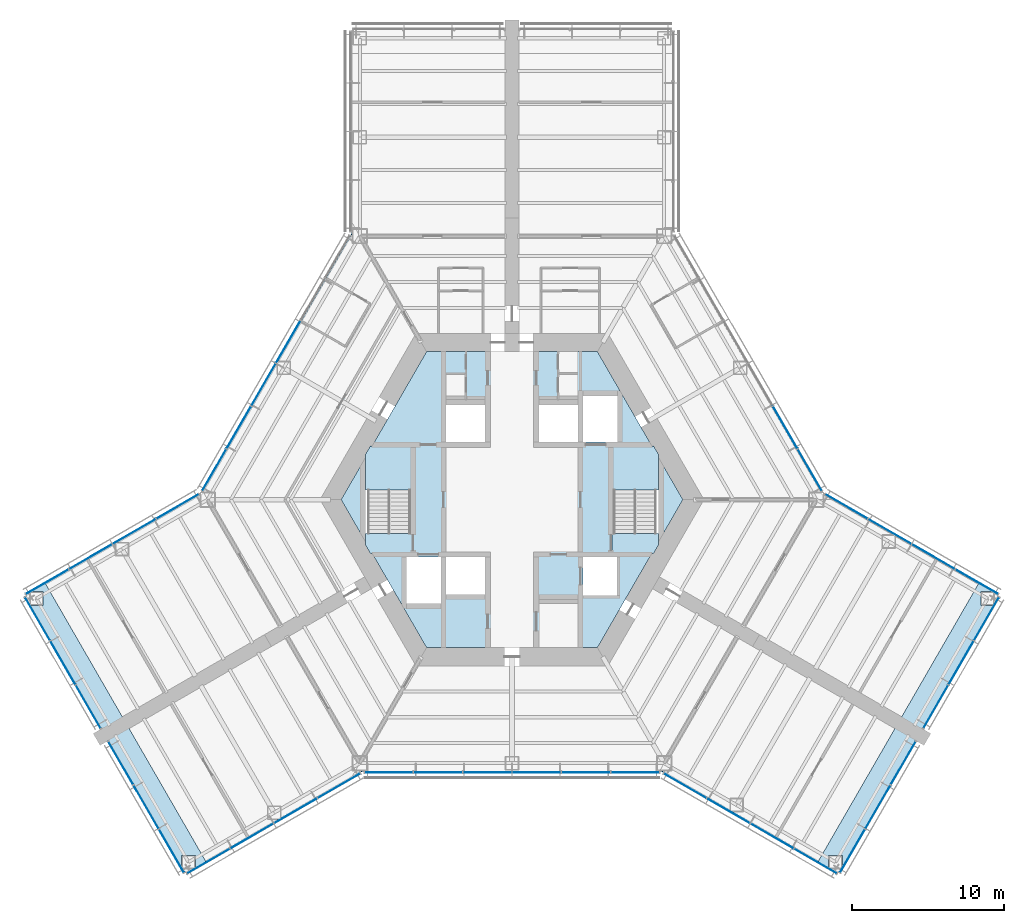
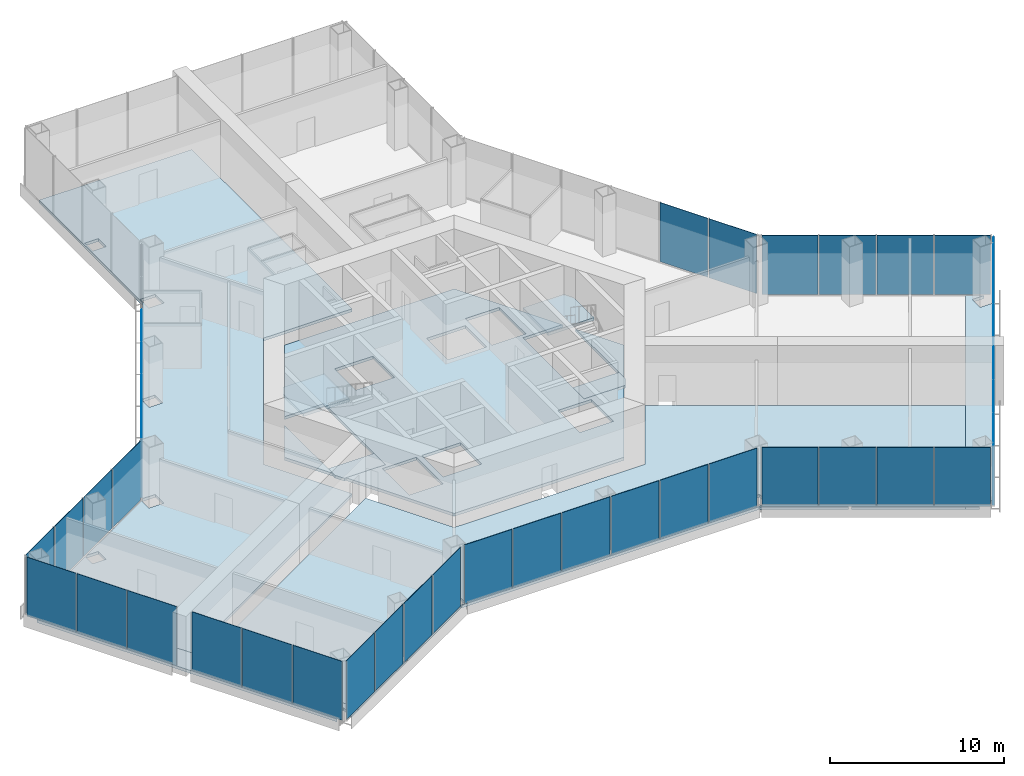
# One storey, part 9 of 16: 40 plates, 11 slabs, 13 elements without a shape of their own.
"""IFC4 building model written with IfcOpenShell, lengths in metres."""

from ifc_helpers import new_model, si_unit, direction, frame, origin, origin_2d, place, context, subcontext, project, spatial, polyline, rectangle, outline, extrude, material, layer, layer_set, type_object, element, aggregate, save


model = new_model("IFC4")

# Units and contexts
model_context = context("Model", 3, precision=1e-05, world=origin(), true_north=direction((0.0, 1.0)))
body_context = subcontext(model_context, "Body", "Model", "MODEL_VIEW")
ifc_project = project(units=[si_unit("LENGTHUNIT", "METRE"), si_unit("AREAUNIT", "SQUARE_METRE"), si_unit("VOLUMEUNIT", "CUBIC_METRE"), si_unit("PLANEANGLEUNIT", "RADIAN"), si_unit("MASSUNIT", "GRAM", prefix="KILO")], contexts=[model_context])

# Site, building, storey
site_placement = place(None, origin())
site = spatial("IfcSite", under=ifc_project, at=site_placement, CompositionType="ELEMENT")
building_placement = place(site_placement, origin())
building = spatial("IfcBuilding", under=site, at=building_placement, Name="Kasaneha Research Tower", CompositionType="ELEMENT")
storey_placement = place(building_placement, frame((0.0, 0.0, 10.0)))
storey = spatial("IfcBuildingStorey", under=building, at=storey_placement, Name="L03", CompositionType="ELEMENT", Elevation=10.0)

# Curtain wall, plates
ifc_material_1 = material(Name="Glass and aluminium", Category="aluminium")
curtain_wall_type = type_object("IfcCurtainWallType", Name="Wet laboratory curtain wall", PredefinedType="USERDEFINED", material=ifc_material_1)
curtain_wall_1_placement = place(storey_placement, origin())
curtain_wall_1 = element("IfcCurtainWall", 1, at=curtain_wall_1_placement, inside=storey, type_object=curtain_wall_type, Name="CW-L1 L03 run 01a", ObjectType="UNITISED CURTAIN WALL", PredefinedType="USERDEFINED")
ifc_material_2 = material(Name="Laminated double glazing", Category="glass")
ifc_layer_1 = layer(ifc_material_2, 0.030029296875)
ifc_layer_set_1 = layer_set([ifc_layer_1], Name="CW-L1 glazed panel")
plate_type = type_object("IfcPlateType", Name="CW-L1 glazed panel", PredefinedType="CURTAIN_PANEL", material=ifc_layer_set_1)
plate_1_placement = place(storey_placement, frame((-19.944091796875, -23.754638671875, 0.06494140625), z_axis=(0.0, 0.0, 1.0), x_axis=(0.866025411464, 0.499999986699, 0.0)))
plate_1 = element("IfcPlate", 2, at=plate_1_placement, type_object=plate_type, Name="CW-L1 panel 1", PredefinedType="CURTAIN_PANEL", context=body_context, shape_type="SweptSolid", body=[
    extrude(rectangle(XDim=3.21240234375, YDim=0.030029296875, at=origin_2d()), origin(), (0.0, 0.0, 1.0), 4.135009765625),
])
plate_2_placement = place(storey_placement, frame((-17.091796875, -22.107666015625, 0.06494140625), z_axis=(0.0, 0.0, 1.0), x_axis=(0.866025411464, 0.499999986699, 0.0)))
plate_2 = element("IfcPlate", 3, at=plate_2_placement, type_object=plate_type, Name="CW-L1 panel 2", PredefinedType="CURTAIN_PANEL", context=body_context, shape_type="SweptSolid", body=[
    extrude(rectangle(XDim=3.244873046875, YDim=0.030029296875, at=origin_2d()), origin(), (0.0, 0.0, 1.0), 4.135009765625),
])
plate_3_placement = place(storey_placement, frame((-14.225341796875, -20.452880859375, 0.06494140625), z_axis=(0.0, 0.0, 1.0), x_axis=(0.866025411464, 0.499999986699, 0.0)))
plate_3 = element("IfcPlate", 4, at=plate_3_placement, type_object=plate_type, Name="CW-L1 panel 3", PredefinedType="CURTAIN_PANEL", context=body_context, shape_type="SweptSolid", body=[
    extrude(rectangle(XDim=3.244873046875, YDim=0.030029296875, at=origin_2d()), origin(), (0.0, 0.0, 1.0), 4.135009765625),
])
plate_4_placement = place(storey_placement, frame((-11.373046875, -18.80615234375, 0.06494140625), z_axis=(0.0, 0.0, 1.0), x_axis=(0.866025411464, 0.499999986699, 0.0)))
plate_4 = element("IfcPlate", 5, at=plate_4_placement, type_object=plate_type, Name="CW-L1 panel 4", PredefinedType="CURTAIN_PANEL", context=body_context, shape_type="SweptSolid", body=[
    extrude(rectangle(XDim=3.21240234375, YDim=0.030029296875, at=origin_2d()), origin(), (0.0, 0.0, 1.0), 4.135009765625),
])
aggregate(curtain_wall_1, [plate_1, plate_2, plate_3, plate_4])

curtain_wall_2_placement = place(storey_placement, origin())
curtain_wall_2 = element("IfcCurtainWall", 6, at=curtain_wall_2_placement, inside=storey, type_object=curtain_wall_type, Name="CW-L1 L03 run 02a", ObjectType="UNITISED CURTAIN WALL", PredefinedType="USERDEFINED")
plate_5_placement = place(storey_placement, frame((-8.099853515625, -17.92041015625, 0.06494140625), z_axis=(0.0, 0.0, 1.0), x_axis=(1.0, 0.0, 0.0)))
plate_5 = element("IfcPlate", 7, at=plate_5_placement, type_object=plate_type, Name="CW-L1 panel 1", PredefinedType="CURTAIN_PANEL", context=body_context, shape_type="SweptSolid", body=[
    extrude(rectangle(XDim=3.14892578125, YDim=0.030029296875, at=origin_2d()), origin(), (0.0, 0.0, 1.0), 4.135009765625),
])
plate_6_placement = place(storey_placement, frame((-4.86962890625, -17.92041015625, 0.06494140625), z_axis=(0.0, 0.0, 1.0), x_axis=(1.0, 0.0, 0.0)))
plate_6 = element("IfcPlate", 8, at=plate_6_placement, type_object=plate_type, Name="CW-L1 panel 2", PredefinedType="CURTAIN_PANEL", context=body_context, shape_type="SweptSolid", body=[
    extrude(rectangle(XDim=3.181396484375, YDim=0.030029296875, at=origin_2d()), origin(), (0.0, 0.0, 1.0), 4.135009765625),
])
plate_7_placement = place(storey_placement, frame((-1.623291015625, -17.92041015625, 0.06494140625), z_axis=(0.0, 0.0, 1.0), x_axis=(1.0, 0.0, 0.0)))
plate_7 = element("IfcPlate", 9, at=plate_7_placement, type_object=plate_type, Name="CW-L1 panel 3", PredefinedType="CURTAIN_PANEL", context=body_context, shape_type="SweptSolid", body=[
    extrude(rectangle(XDim=3.181396484375, YDim=0.030029296875, at=origin_2d()), origin(), (0.0, 0.0, 1.0), 4.135009765625),
])
plate_8_placement = place(storey_placement, frame((1.623291015625, -17.92041015625, 0.06494140625), z_axis=(0.0, 0.0, 1.0), x_axis=(1.0, 0.0, 0.0)))
plate_8 = element("IfcPlate", 10, at=plate_8_placement, type_object=plate_type, Name="CW-L1 panel 4", PredefinedType="CURTAIN_PANEL", context=body_context, shape_type="SweptSolid", body=[
    extrude(rectangle(XDim=3.181396484375, YDim=0.030029296875, at=origin_2d()), origin(), (0.0, 0.0, 1.0), 4.135009765625),
])
plate_9_placement = place(storey_placement, frame((4.86962890625, -17.92041015625, 0.06494140625), z_axis=(0.0, 0.0, 1.0), x_axis=(1.0, 0.0, 0.0)))
plate_9 = element("IfcPlate", 11, at=plate_9_placement, type_object=plate_type, Name="CW-L1 panel 5", PredefinedType="CURTAIN_PANEL", context=body_context, shape_type="SweptSolid", body=[
    extrude(rectangle(XDim=3.181396484375, YDim=0.030029296875, at=origin_2d()), origin(), (0.0, 0.0, 1.0), 4.135009765625),
])
plate_10_placement = place(storey_placement, frame((8.099853515625, -17.92041015625, 0.06494140625), z_axis=(0.0, 0.0, 1.0), x_axis=(1.0, 0.0, 0.0)))
plate_10 = element("IfcPlate", 12, at=plate_10_placement, type_object=plate_type, Name="CW-L1 panel 6", PredefinedType="CURTAIN_PANEL", context=body_context, shape_type="SweptSolid", body=[
    extrude(rectangle(XDim=3.14892578125, YDim=0.030029296875, at=origin_2d()), origin(), (0.0, 0.0, 1.0), 4.135009765625),
])
aggregate(curtain_wall_2, [plate_5, plate_6, plate_7, plate_8, plate_9, plate_10])

curtain_wall_3_placement = place(storey_placement, origin())
curtain_wall_3 = element("IfcCurtainWall", 13, at=curtain_wall_3_placement, inside=storey, type_object=curtain_wall_type, Name="CW-L1 L03 run 03a", ObjectType="UNITISED CURTAIN WALL", PredefinedType="USERDEFINED")
plate_11_placement = place(storey_placement, frame((11.373046875, -18.80615234375, 0.06494140625), z_axis=(0.0, 0.0, 1.0), x_axis=(0.866025411464, -0.499999986699, 0.0)))
plate_11 = element("IfcPlate", 14, at=plate_11_placement, type_object=plate_type, Name="CW-L1 panel 1", PredefinedType="CURTAIN_PANEL", context=body_context, shape_type="SweptSolid", body=[
    extrude(rectangle(XDim=3.21240234375, YDim=0.030029296875, at=origin_2d()), origin(), (0.0, 0.0, 1.0), 4.135009765625),
])
plate_12_placement = place(storey_placement, frame((14.225341796875, -20.452880859375, 0.06494140625), z_axis=(0.0, 0.0, 1.0), x_axis=(0.866025411464, -0.499999986699, 0.0)))
plate_12 = element("IfcPlate", 15, at=plate_12_placement, type_object=plate_type, Name="CW-L1 panel 2", PredefinedType="CURTAIN_PANEL", context=body_context, shape_type="SweptSolid", body=[
    extrude(rectangle(XDim=3.244873046875, YDim=0.030029296875, at=origin_2d()), origin(), (0.0, 0.0, 1.0), 4.135009765625),
])
plate_13_placement = place(storey_placement, frame((17.091796875, -22.107666015625, 0.06494140625), z_axis=(0.0, 0.0, 1.0), x_axis=(0.866025411464, -0.499999986699, 0.0)))
plate_13 = element("IfcPlate", 16, at=plate_13_placement, type_object=plate_type, Name="CW-L1 panel 3", PredefinedType="CURTAIN_PANEL", context=body_context, shape_type="SweptSolid", body=[
    extrude(rectangle(XDim=3.244873046875, YDim=0.030029296875, at=origin_2d()), origin(), (0.0, 0.0, 1.0), 4.135009765625),
])
plate_14_placement = place(storey_placement, frame((19.944091796875, -23.754638671875, 0.06494140625), z_axis=(0.0, 0.0, 1.0), x_axis=(0.866025411464, -0.499999986699, 0.0)))
plate_14 = element("IfcPlate", 17, at=plate_14_placement, type_object=plate_type, Name="CW-L1 panel 4", PredefinedType="CURTAIN_PANEL", context=body_context, shape_type="SweptSolid", body=[
    extrude(rectangle(XDim=3.21240234375, YDim=0.030029296875, at=origin_2d()), origin(), (0.0, 0.0, 1.0), 4.135009765625),
])
aggregate(curtain_wall_3, [plate_11, plate_12, plate_13, plate_14])

curtain_wall_4_placement = place(storey_placement, origin())
curtain_wall_4 = element("IfcCurtainWall", 18, at=curtain_wall_4_placement, inside=storey, type_object=curtain_wall_type, Name="CW-L1 L03 run 04a", ObjectType="UNITISED CURTAIN WALL", PredefinedType="USERDEFINED")
plate_15_placement = place(storey_placement, frame((22.37353515625, -23.0888671875, 0.06494140625), z_axis=(0.0, 0.0, 1.0), x_axis=(0.500000011442, 0.866025397178, 0.0)))
plate_15 = element("IfcPlate", 19, at=plate_15_placement, type_object=plate_type, Name="CW-L1 panel 1", PredefinedType="CURTAIN_PANEL", context=body_context, shape_type="SweptSolid", body=[
    extrude(rectangle(XDim=3.25244140625, YDim=0.030029296875, at=origin_2d()), origin(), (0.0, 0.0, 1.0), 4.135009765625),
])
plate_16_placement = place(storey_placement, frame((24.04052734375, -20.20166015625, 0.06494140625), z_axis=(0.0, 0.0, 1.0), x_axis=(0.500000011442, 0.866025397178, 0.0)))
plate_16 = element("IfcPlate", 20, at=plate_16_placement, type_object=plate_type, Name="CW-L1 panel 2", PredefinedType="CURTAIN_PANEL", context=body_context, shape_type="SweptSolid", body=[
    extrude(rectangle(XDim=3.284912109375, YDim=0.030029296875, at=origin_2d()), origin(), (0.0, 0.0, 1.0), 4.135009765625),
])
plate_17_placement = place(storey_placement, frame((25.707275390625, -17.314697265625, 0.06494140625), z_axis=(0.0, 0.0, 1.0), x_axis=(0.500000011442, 0.866025397178, 0.0)))
plate_17 = element("IfcPlate", 21, at=plate_17_placement, type_object=plate_type, Name="CW-L1 panel 3", PredefinedType="CURTAIN_PANEL", context=body_context, shape_type="SweptSolid", body=[
    extrude(rectangle(XDim=3.25244140625, YDim=0.030029296875, at=origin_2d()), origin(), (0.0, 0.0, 1.0), 4.135009765625),
])
aggregate(curtain_wall_4, [plate_15, plate_16, plate_17])

curtain_wall_5_placement = place(storey_placement, origin())
curtain_wall_5 = element("IfcCurtainWall", 22, at=curtain_wall_5_placement, inside=storey, type_object=curtain_wall_type, Name="CW-L1 L03 run 05a", ObjectType="UNITISED CURTAIN WALL", PredefinedType="USERDEFINED")
plate_18_placement = place(storey_placement, frame((27.8486328125, -13.60595703125, 0.06494140625), z_axis=(0.0, 0.0, 1.0), x_axis=(0.500000011442, 0.866025397178, 0.0)))
plate_18 = element("IfcPlate", 23, at=plate_18_placement, type_object=plate_type, Name="CW-L1 panel 1", PredefinedType="CURTAIN_PANEL", context=body_context, shape_type="SweptSolid", body=[
    extrude(rectangle(XDim=3.25244140625, YDim=0.030029296875, at=origin_2d()), origin(), (0.0, 0.0, 1.0), 4.135009765625),
])
plate_19_placement = place(storey_placement, frame((29.515380859375, -10.71875, 0.06494140625), z_axis=(0.0, 0.0, 1.0), x_axis=(0.500000011442, 0.866025397178, 0.0)))
plate_19 = element("IfcPlate", 24, at=plate_19_placement, type_object=plate_type, Name="CW-L1 panel 2", PredefinedType="CURTAIN_PANEL", context=body_context, shape_type="SweptSolid", body=[
    extrude(rectangle(XDim=3.284912109375, YDim=0.030029296875, at=origin_2d()), origin(), (0.0, 0.0, 1.0), 4.135009765625),
])
plate_20_placement = place(storey_placement, frame((31.182373046875, -7.83154296875, 0.06494140625), z_axis=(0.0, 0.0, 1.0), x_axis=(0.500000011442, 0.866025397178, 0.0)))
plate_20 = element("IfcPlate", 25, at=plate_20_placement, type_object=plate_type, Name="CW-L1 panel 3", PredefinedType="CURTAIN_PANEL", context=body_context, shape_type="SweptSolid", body=[
    extrude(rectangle(XDim=3.25244140625, YDim=0.030029296875, at=origin_2d()), origin(), (0.0, 0.0, 1.0), 4.135009765625),
])
aggregate(curtain_wall_5, [plate_18, plate_19, plate_20])

curtain_wall_6_placement = place(storey_placement, origin())
curtain_wall_6 = element("IfcCurtainWall", 26, at=curtain_wall_6_placement, inside=storey, type_object=curtain_wall_type, Name="CW-L1 L03 run 06a", ObjectType="UNITISED CURTAIN WALL", PredefinedType="USERDEFINED")
plate_21_placement = place(storey_placement, frame((30.544189453125, -5.394775390625, 0.06494140625), z_axis=(0.0, 0.0, 1.0), x_axis=(-0.866025411464, 0.499999986699, 0.0)))
plate_21 = element("IfcPlate", 27, at=plate_21_placement, type_object=plate_type, Name="CW-L1 panel 1", PredefinedType="CURTAIN_PANEL", context=body_context, shape_type="SweptSolid", body=[
    extrude(rectangle(XDim=3.21240234375, YDim=0.030029296875, at=origin_2d()), origin(), (0.0, 0.0, 1.0), 4.135009765625),
])
plate_22_placement = place(storey_placement, frame((27.69189453125, -3.748046875, 0.06494140625), z_axis=(0.0, 0.0, 1.0), x_axis=(-0.866025411464, 0.499999986699, 0.0)))
plate_22 = element("IfcPlate", 28, at=plate_22_placement, type_object=plate_type, Name="CW-L1 panel 2", PredefinedType="CURTAIN_PANEL", context=body_context, shape_type="SweptSolid", body=[
    extrude(rectangle(XDim=3.244873046875, YDim=0.030029296875, at=origin_2d()), origin(), (0.0, 0.0, 1.0), 4.135009765625),
])
plate_23_placement = place(storey_placement, frame((24.825439453125, -2.093017578125, 0.06494140625), z_axis=(0.0, 0.0, 1.0), x_axis=(-0.866025411464, 0.499999986699, 0.0)))
plate_23 = element("IfcPlate", 29, at=plate_23_placement, type_object=plate_type, Name="CW-L1 panel 3", PredefinedType="CURTAIN_PANEL", context=body_context, shape_type="SweptSolid", body=[
    extrude(rectangle(XDim=3.244873046875, YDim=0.030029296875, at=origin_2d()), origin(), (0.0, 0.0, 1.0), 4.135009765625),
])
plate_24_placement = place(storey_placement, frame((21.97314453125, -0.4462890625, 0.06494140625), z_axis=(0.0, 0.0, 1.0), x_axis=(-0.866025411464, 0.499999986699, 0.0)))
plate_24 = element("IfcPlate", 30, at=plate_24_placement, type_object=plate_type, Name="CW-L1 panel 4", PredefinedType="CURTAIN_PANEL", context=body_context, shape_type="SweptSolid", body=[
    extrude(rectangle(XDim=3.21240234375, YDim=0.030029296875, at=origin_2d()), origin(), (0.0, 0.0, 1.0), 4.135009765625),
])
aggregate(curtain_wall_6, [plate_21, plate_22, plate_23, plate_24])

curtain_wall_7_placement = place(storey_placement, origin())
curtain_wall_7 = element("IfcCurtainWall", 31, at=curtain_wall_7_placement, inside=storey, type_object=curtain_wall_type, Name="CW-L1 L03 run 07a", ObjectType="UNITISED CURTAIN WALL", PredefinedType="USERDEFINED")
plate_25_placement = place(storey_placement, frame((19.569580078125, 1.945556640625, 0.06494140625), z_axis=(0.0, 0.0, 1.0), x_axis=(-0.49999996188, 0.866025425793, 0.0)))
plate_25 = element("IfcPlate", 32, at=plate_25_placement, type_object=plate_type, Name="CW-L1 panel 1", PredefinedType="CURTAIN_PANEL", context=body_context, shape_type="SweptSolid", body=[
    extrude(rectangle(XDim=3.14892578125, YDim=0.030029296875, at=origin_2d()), origin(), (0.0, 0.0, 1.0), 4.135009765625),
])
plate_26_placement = place(storey_placement, frame((17.954345703125, 4.7431640625, 0.06494140625), z_axis=(0.0, 0.0, 1.0), x_axis=(-0.49999996188, 0.866025425793, 0.0)))
plate_26 = element("IfcPlate", 33, at=plate_26_placement, type_object=plate_type, Name="CW-L1 panel 2", PredefinedType="CURTAIN_PANEL", context=body_context, shape_type="SweptSolid", body=[
    extrude(rectangle(XDim=3.181396484375, YDim=0.030029296875, at=origin_2d()), origin(), (0.0, 0.0, 1.0), 4.135009765625),
])
aggregate(curtain_wall_7, [plate_25, plate_26])

curtain_wall_8_placement = place(storey_placement, origin())
curtain_wall_8 = element("IfcCurtainWall", 34, at=curtain_wall_8_placement, inside=storey, type_object=curtain_wall_type, Name="CW-L1 L03 run 12a", ObjectType="UNITISED CURTAIN WALL", PredefinedType="USERDEFINED")
plate_27_placement = place(storey_placement, frame((-14.7080078125, 10.365966796875, 0.06494140625), z_axis=(0.0, 0.0, 1.0), x_axis=(-0.49999996188, -0.866025425793, 0.0)))
plate_27 = element("IfcPlate", 35, at=plate_27_placement, type_object=plate_type, Name="CW-L1 panel 3", PredefinedType="CURTAIN_PANEL", context=body_context, shape_type="SweptSolid", body=[
    extrude(rectangle(XDim=3.181396484375, YDim=0.030029296875, at=origin_2d()), origin(), (0.0, 0.0, 1.0), 4.135009765625),
])
plate_28_placement = place(storey_placement, frame((-16.331298828125, 7.554443359375, 0.06494140625), z_axis=(0.0, 0.0, 1.0), x_axis=(-0.49999996188, -0.866025425793, 0.0)))
plate_28 = element("IfcPlate", 36, at=plate_28_placement, type_object=plate_type, Name="CW-L1 panel 4", PredefinedType="CURTAIN_PANEL", context=body_context, shape_type="SweptSolid", body=[
    extrude(rectangle(XDim=3.181396484375, YDim=0.030029296875, at=origin_2d()), origin(), (0.0, 0.0, 1.0), 4.135009765625),
])
plate_29_placement = place(storey_placement, frame((-17.954345703125, 4.7431640625, 0.06494140625), z_axis=(0.0, 0.0, 1.0), x_axis=(-0.49999996188, -0.866025425793, 0.0)))
plate_29 = element("IfcPlate", 37, at=plate_29_placement, type_object=plate_type, Name="CW-L1 panel 5", PredefinedType="CURTAIN_PANEL", context=body_context, shape_type="SweptSolid", body=[
    extrude(rectangle(XDim=3.181396484375, YDim=0.030029296875, at=origin_2d()), origin(), (0.0, 0.0, 1.0), 4.135009765625),
])
plate_30_placement = place(storey_placement, frame((-19.569580078125, 1.945556640625, 0.06494140625), z_axis=(0.0, 0.0, 1.0), x_axis=(-0.49999996188, -0.866025425793, 0.0)))
plate_30 = element("IfcPlate", 38, at=plate_30_placement, type_object=plate_type, Name="CW-L1 panel 6", PredefinedType="CURTAIN_PANEL", context=body_context, shape_type="SweptSolid", body=[
    extrude(rectangle(XDim=3.14892578125, YDim=0.030029296875, at=origin_2d()), origin(), (0.0, 0.0, 1.0), 4.135009765625),
])
aggregate(curtain_wall_8, [plate_27, plate_28, plate_29, plate_30])

curtain_wall_9_placement = place(storey_placement, origin())
curtain_wall_9 = element("IfcCurtainWall", 39, at=curtain_wall_9_placement, inside=storey, type_object=curtain_wall_type, Name="CW-L1 L03 run 13a", ObjectType="UNITISED CURTAIN WALL", PredefinedType="USERDEFINED")
plate_31_placement = place(storey_placement, frame((-21.97314453125, -0.4462890625, 0.06494140625), z_axis=(0.0, 0.0, 1.0), x_axis=(-0.866025411464, -0.499999986699, 0.0)))
plate_31 = element("IfcPlate", 40, at=plate_31_placement, type_object=plate_type, Name="CW-L1 panel 1", PredefinedType="CURTAIN_PANEL", context=body_context, shape_type="SweptSolid", body=[
    extrude(rectangle(XDim=3.21240234375, YDim=0.030029296875, at=origin_2d()), origin(), (0.0, 0.0, 1.0), 4.135009765625),
])
plate_32_placement = place(storey_placement, frame((-24.825439453125, -2.093017578125, 0.06494140625), z_axis=(0.0, 0.0, 1.0), x_axis=(-0.866025411464, -0.499999986699, 0.0)))
plate_32 = element("IfcPlate", 41, at=plate_32_placement, type_object=plate_type, Name="CW-L1 panel 2", PredefinedType="CURTAIN_PANEL", context=body_context, shape_type="SweptSolid", body=[
    extrude(rectangle(XDim=3.244873046875, YDim=0.030029296875, at=origin_2d()), origin(), (0.0, 0.0, 1.0), 4.135009765625),
])
plate_33_placement = place(storey_placement, frame((-27.69189453125, -3.748046875, 0.06494140625), z_axis=(0.0, 0.0, 1.0), x_axis=(-0.866025411464, -0.499999986699, 0.0)))
plate_33 = element("IfcPlate", 42, at=plate_33_placement, type_object=plate_type, Name="CW-L1 panel 3", PredefinedType="CURTAIN_PANEL", context=body_context, shape_type="SweptSolid", body=[
    extrude(rectangle(XDim=3.244873046875, YDim=0.030029296875, at=origin_2d()), origin(), (0.0, 0.0, 1.0), 4.135009765625),
])
plate_34_placement = place(storey_placement, frame((-30.544189453125, -5.394775390625, 0.06494140625), z_axis=(0.0, 0.0, 1.0), x_axis=(-0.866025411464, -0.499999986699, 0.0)))
plate_34 = element("IfcPlate", 43, at=plate_34_placement, type_object=plate_type, Name="CW-L1 panel 4", PredefinedType="CURTAIN_PANEL", context=body_context, shape_type="SweptSolid", body=[
    extrude(rectangle(XDim=3.21240234375, YDim=0.030029296875, at=origin_2d()), origin(), (0.0, 0.0, 1.0), 4.135009765625),
])
aggregate(curtain_wall_9, [plate_31, plate_32, plate_33, plate_34])

curtain_wall_10_placement = place(storey_placement, origin())
curtain_wall_10 = element("IfcCurtainWall", 44, at=curtain_wall_10_placement, inside=storey, type_object=curtain_wall_type, Name="CW-L1 L03 run 14a", ObjectType="UNITISED CURTAIN WALL", PredefinedType="USERDEFINED")
plate_35_placement = place(storey_placement, frame((-31.182373046875, -7.83154296875, 0.06494140625), z_axis=(0.0, 0.0, 1.0), x_axis=(0.500000011442, -0.866025397178, 0.0)))
plate_35 = element("IfcPlate", 45, at=plate_35_placement, type_object=plate_type, Name="CW-L1 panel 1", PredefinedType="CURTAIN_PANEL", context=body_context, shape_type="SweptSolid", body=[
    extrude(rectangle(XDim=3.25244140625, YDim=0.030029296875, at=origin_2d()), origin(), (0.0, 0.0, 1.0), 4.135009765625),
])
plate_36_placement = place(storey_placement, frame((-29.515380859375, -10.71875, 0.06494140625), z_axis=(0.0, 0.0, 1.0), x_axis=(0.500000011442, -0.866025397178, 0.0)))
plate_36 = element("IfcPlate", 46, at=plate_36_placement, type_object=plate_type, Name="CW-L1 panel 2", PredefinedType="CURTAIN_PANEL", context=body_context, shape_type="SweptSolid", body=[
    extrude(rectangle(XDim=3.284912109375, YDim=0.030029296875, at=origin_2d()), origin(), (0.0, 0.0, 1.0), 4.135009765625),
])
plate_37_placement = place(storey_placement, frame((-27.8486328125, -13.60595703125, 0.06494140625), z_axis=(0.0, 0.0, 1.0), x_axis=(0.500000011442, -0.866025397178, 0.0)))
plate_37 = element("IfcPlate", 47, at=plate_37_placement, type_object=plate_type, Name="CW-L1 panel 3", PredefinedType="CURTAIN_PANEL", context=body_context, shape_type="SweptSolid", body=[
    extrude(rectangle(XDim=3.25244140625, YDim=0.030029296875, at=origin_2d()), origin(), (0.0, 0.0, 1.0), 4.135009765625),
])
aggregate(curtain_wall_10, [plate_35, plate_36, plate_37])

curtain_wall_11_placement = place(storey_placement, origin())
curtain_wall_11 = element("IfcCurtainWall", 48, at=curtain_wall_11_placement, inside=storey, type_object=curtain_wall_type, Name="CW-L1 L03 run 15a", ObjectType="UNITISED CURTAIN WALL", PredefinedType="USERDEFINED")
plate_38_placement = place(storey_placement, frame((-25.707275390625, -17.314697265625, 0.06494140625), z_axis=(0.0, 0.0, 1.0), x_axis=(0.500000011442, -0.866025397178, 0.0)))
plate_38 = element("IfcPlate", 49, at=plate_38_placement, type_object=plate_type, Name="CW-L1 panel 1", PredefinedType="CURTAIN_PANEL", context=body_context, shape_type="SweptSolid", body=[
    extrude(rectangle(XDim=3.25244140625, YDim=0.030029296875, at=origin_2d()), origin(), (0.0, 0.0, 1.0), 4.135009765625),
])
plate_39_placement = place(storey_placement, frame((-24.04052734375, -20.20166015625, 0.06494140625), z_axis=(0.0, 0.0, 1.0), x_axis=(0.500000011442, -0.866025397178, 0.0)))
plate_39 = element("IfcPlate", 50, at=plate_39_placement, type_object=plate_type, Name="CW-L1 panel 2", PredefinedType="CURTAIN_PANEL", context=body_context, shape_type="SweptSolid", body=[
    extrude(rectangle(XDim=3.284912109375, YDim=0.030029296875, at=origin_2d()), origin(), (0.0, 0.0, 1.0), 4.135009765625),
])
plate_40_placement = place(storey_placement, frame((-22.37353515625, -23.0888671875, 0.06494140625), z_axis=(0.0, 0.0, 1.0), x_axis=(0.500000011442, -0.866025397178, 0.0)))
plate_40 = element("IfcPlate", 51, at=plate_40_placement, type_object=plate_type, Name="CW-L1 panel 3", PredefinedType="CURTAIN_PANEL", context=body_context, shape_type="SweptSolid", body=[
    extrude(rectangle(XDim=3.25244140625, YDim=0.030029296875, at=origin_2d()), origin(), (0.0, 0.0, 1.0), 4.135009765625),
])
aggregate(curtain_wall_11, [plate_38, plate_39, plate_40])

# Slabs
ifc_material_3 = material(Name="Concrete Fc24", Category="concrete")
ifc_layer_2 = layer(ifc_material_3, 0.199951171875)
ifc_layer_set_2 = layer_set([ifc_layer_2], Name="Core floor slab 200")
slab_type_1 = type_object("IfcSlabType", Name="Core floor slab 200", PredefinedType="FLOOR", material=ifc_layer_set_2)
slab_1_placement = place(storey_placement, frame((0.0, 0.0, -0.199951171875)))
element("IfcSlab", 52, at=slab_1_placement, inside=storey, type_object=slab_type_1, Name="Core slab L03", PredefinedType="FLOOR", context=body_context, shape_type="SweptSolid", body=[
    extrude(outline(polyline([(-11.2294921875, 0.0), (-9.625, 2.779052734375), (-9.625, -2.779052734375), (-11.2294921875, 0.0)])), origin(), (0.0, 0.0, 1.0), 0.199951171875),
])
slab_2_placement = place(storey_placement, frame((0.0, 0.0, -0.199951171875)))
element("IfcSlab", 53, at=slab_2_placement, inside=storey, type_object=slab_type_1, Name="Core slab L03", PredefinedType="FLOOR", context=body_context, shape_type="SweptSolid", body=[
    extrude(outline(polyline([(-5.61474609375, 9.72509765625), (5.61474609375, 9.72509765625), (9.1943359375, 3.52490234375), (6.574951171875, 3.52490234375), (6.574951171875, -3.52490234375), (9.1943359375, -3.52490234375), (5.61474609375, -9.72509765625), (-5.61474609375, -9.72509765625), (-9.1943359375, -3.52490234375), (-6.574951171875, -3.52490234375), (-6.574951171875, 3.52490234375), (-9.1943359375, 3.52490234375), (-5.61474609375, 9.72509765625)]), holes=[polyline([(-6.925048828125, -3.77490234375), (-6.925048828125, -6.824951171875), (-4.675048828125, -6.824951171875), (-4.675048828125, -3.77490234375), (-6.925048828125, -3.77490234375)]), polyline([(4.675048828125, -3.77490234375), (4.675048828125, -6.300048828125), (6.89990234375, -6.300048828125), (6.89990234375, -3.77490234375), (4.675048828125, -3.77490234375)]), polyline([(-4.324951171875, -3.77490234375), (-4.324951171875, -6.22509765625), (-1.77490234375, -6.22509765625), (-1.77490234375, -3.77490234375), (-4.324951171875, -3.77490234375)]), polyline([(-4.324951171875, 6.22509765625), (-4.324951171875, 3.77490234375), (-1.77490234375, 3.77490234375), (-1.77490234375, 6.22509765625), (-4.324951171875, 6.22509765625)]), polyline([(1.77490234375, 6.22509765625), (1.77490234375, 3.77490234375), (4.324951171875, 3.77490234375), (4.324951171875, 6.22509765625), (1.77490234375, 6.22509765625)]), polyline([(4.675048828125, 6.824951171875), (4.675048828125, 3.77490234375), (6.925048828125, 3.77490234375), (6.925048828125, 6.824951171875), (4.675048828125, 6.824951171875)])]), origin(), (0.0, 0.0, 1.0), 0.199951171875),
])
slab_3_placement = place(storey_placement, frame((0.0, 0.0, -0.199951171875)))
element("IfcSlab", 54, at=slab_3_placement, inside=storey, type_object=slab_type_1, Name="Core slab L03", PredefinedType="FLOOR", context=body_context, shape_type="SweptSolid", body=[
    extrude(outline(polyline([(11.2294921875, 0.0), (9.625, -2.779052734375), (9.625, 2.779052734375), (11.2294921875, 0.0)])), origin(), (0.0, 0.0, 1.0), 0.199951171875),
])
ifc_material_4 = material(Name="Concrete Fc24", Category="concrete")
ifc_layer_3 = layer(ifc_material_4, 0.199951171875)
ifc_layer_set_3 = layer_set([ifc_layer_3], Name="Floor slab 200")
slab_type_2 = type_object("IfcSlabType", Name="Floor slab 200", PredefinedType="FLOOR", material=ifc_layer_set_3)
slab_4_placement = place(storey_placement, frame((0.0, 0.0, -0.199951171875)))
element("IfcSlab", 55, at=slab_4_placement, inside=storey, type_object=slab_type_2, Name="Floor slab L03 1", PredefinedType="FLOOR", context=body_context, shape_type="SweptSolid", body=[
    extrude(outline(polyline([(-25.167236328125, -15.050048828125), (-25.15869140625, -15.044921875), (-20.108642578125, -23.791748046875), (-20.808349609375, -24.19580078125), (-20.808349609375, -23.37060546875), (-21.708251953125, -23.37060546875), (-21.708251953125, -24.14111328125), (-31.633544921875, -6.949951171875), (-30.808349609375, -6.949951171875), (-30.808349609375, -6.050048828125), (-31.578857421875, -6.050048828125), (-30.65869140625, -5.518798828125), (-25.608642578125, -14.265625), (-25.6171875, -14.2705078125), (-25.167236328125, -15.050048828125)])), origin(), (0.0, 0.0, 1.0), 0.199951171875),
])
slab_5_placement = place(storey_placement, frame((0.0, 0.0, -0.199951171875)))
element("IfcSlab", 56, at=slab_5_placement, inside=storey, type_object=slab_type_2, Name="Floor slab L03 2", PredefinedType="FLOOR", context=body_context, shape_type="SweptSolid", body=[
    extrude(outline(polyline([(-25.17919921875, -2.800048828125), (-25.94970703125, -2.800048828125), (-20.5, 0.346435546875), (-20.5, -0.5), (-19.5, -0.5), (-19.5, 0.5), (-20.346435546875, 0.5), (-15.449951171875, 8.980712890625), (-15.449951171875, 8.210205078125), (-14.550048828125, 8.210205078125), (-14.550048828125, 9.1103515625), (-15.375244140625, 9.1103515625), (-10.550048828125, 17.4677734375), (-10.550048828125, 29.310546875), (-0.449951171875, 29.310546875), (-0.449951171875, 10.925048828125), (-6.3076171875, 10.925048828125), (-12.614990234375, 0.0), (-9.686279296875, -5.07275390625), (-25.608642578125, -14.265625), (-30.65869140625, -5.518798828125), (-26.0791015625, -2.874755859375), (-26.0791015625, -3.699951171875), (-25.17919921875, -3.699951171875), (-25.17919921875, -2.800048828125)]), holes=[polyline([(-9.5, 16.820556640625), (-9.5, 17.820556640625), (-10.5, 17.820556640625), (-10.5, 16.820556640625), (-9.5, 16.820556640625)]), polyline([(-10.449951171875, 23.37060546875), (-9.550048828125, 23.37060546875), (-9.550048828125, 24.2705078125), (-10.449951171875, 24.2705078125), (-10.449951171875, 23.37060546875)])]), origin(), (0.0, 0.0, 1.0), 0.199951171875),
])
slab_6_placement = place(storey_placement, frame((0.0, 0.0, -0.199951171875)))
element("IfcSlab", 57, at=slab_6_placement, inside=storey, type_object=slab_type_2, Name="Floor slab L03 4", PredefinedType="FLOOR", context=body_context, shape_type="SweptSolid", body=[
    extrude(outline(polyline([(-6.3076171875, -10.925048828125), (6.3076171875, -10.925048828125), (9.236328125, -5.852294921875), (25.15869140625, -15.044921875), (20.108642578125, -23.791748046875), (14.442626953125, -20.5205078125), (15.213134765625, -20.5205078125), (15.213134765625, -19.62060546875), (14.313232421875, -19.62060546875), (14.313232421875, -20.44580078125), (9.8525390625, -17.87060546875), (-9.8525390625, -17.87060546875), (-15.17919921875, -20.94580078125), (-15.17919921875, -20.12060546875), (-16.0791015625, -20.12060546875), (-16.0791015625, -21.0205078125), (-15.30859375, -21.0205078125), (-20.108642578125, -23.791748046875), (-25.15869140625, -15.044921875), (-9.236328125, -5.852294921875), (-6.3076171875, -10.925048828125)]), holes=[polyline([(-0.449951171875, -17.7705078125), (0.449951171875, -17.7705078125), (0.449951171875, -16.87060546875), (-0.449951171875, -16.87060546875), (-0.449951171875, -17.7705078125)]), polyline([(-9.5, -17.820556640625), (-9.5, -16.820556640625), (-10.5, -16.820556640625), (-10.5, -17.820556640625), (-9.5, -17.820556640625)]), polyline([(10.5, -17.820556640625), (10.5, -16.820556640625), (9.5, -16.820556640625), (9.5, -17.820556640625), (10.5, -17.820556640625)])]), origin(), (0.0, 0.0, 1.0), 0.199951171875),
])
slab_7_placement = place(storey_placement, frame((0.0, 0.0, -0.199951171875)))
element("IfcSlab", 58, at=slab_7_placement, inside=storey, type_object=slab_type_2, Name="Floor slab L03 6", PredefinedType="FLOOR", context=body_context, shape_type="SweptSolid", body=[
    extrude(outline(polyline([(25.167236328125, -15.050048828125), (25.6171875, -14.2705078125), (25.608642578125, -14.265625), (30.65869140625, -5.518798828125), (31.578857421875, -6.050048828125), (30.808349609375, -6.050048828125), (30.808349609375, -6.949951171875), (31.633544921875, -6.949951171875), (21.708251953125, -24.14111328125), (21.708251953125, -23.37060546875), (20.808349609375, -23.37060546875), (20.808349609375, -24.19580078125), (20.108642578125, -23.791748046875), (25.15869140625, -15.044921875), (25.167236328125, -15.050048828125)])), origin(), (0.0, 0.0, 1.0), 0.199951171875),
])

# Stair, slabs
ifc_material_5 = material(Name="Concrete Fc24", Category="concrete")
stair_type = type_object("IfcStairType", Name="Half-turn stair 24 risers", PredefinedType="HALF_TURN_STAIR", material=ifc_material_5)
stair_1_placement = place(storey_placement, origin())
stair_1 = element("IfcStair", 59, at=stair_1_placement, inside=storey, type_object=stair_type, Name="Stair 1 L03", PredefinedType="HALF_TURN_STAIR")
ifc_material_6 = material(Name="Concrete Fc24", Category="concrete")
ifc_layer_4 = layer(ifc_material_6, 0.199951171875)
ifc_layer_set_4 = layer_set([ifc_layer_4], Name="Stair 1 landing 200")
slab_type_3 = type_object("IfcSlabType", Name="Stair 1 landing 200", PredefinedType="LANDING", material=ifc_layer_set_4)
slab_8_placement = place(storey_placement, frame((0.0, 0.0, -0.199951171875)))
slab_8 = element("IfcSlab", 60, at=slab_8_placement, type_object=slab_type_3, Name="ST1-24R landing 1", PredefinedType="LANDING", context=body_context, shape_type="SweptSolid", body=[
    extrude(outline(polyline([(9.309814453125, -3.52490234375), (6.574951171875, -3.52490234375), (6.574951171875, -2.22509765625), (9.625, -2.22509765625), (9.625, -2.97900390625), (9.309814453125, -3.52490234375)])), origin(), (0.0, 0.0, 1.0), 0.199951171875),
])
slab_9_placement = place(storey_placement, frame((0.0, 0.0, 1.89990234375)))
slab_9 = element("IfcSlab", 61, at=slab_9_placement, type_object=slab_type_3, Name="ST1-24R landing 2", PredefinedType="LANDING", context=body_context, shape_type="SweptSolid", body=[
    extrude(outline(polyline([(6.574951171875, 3.52490234375), (9.309814453125, 3.52490234375), (9.625, 2.97900390625), (9.625, 0.635009765625), (6.574951171875, 0.635009765625), (6.574951171875, 3.52490234375)])), origin(), (0.0, 0.0, 1.0), 0.2001953125),
])
aggregate(stair_1, [slab_8, slab_9])

stair_2_placement = place(storey_placement, origin())
stair_2 = element("IfcStair", 62, at=stair_2_placement, inside=storey, type_object=stair_type, Name="Stair 2 L03", PredefinedType="HALF_TURN_STAIR")
ifc_material_7 = material(Name="Concrete Fc24", Category="concrete")
ifc_layer_5 = layer(ifc_material_7, 0.199951171875)
ifc_layer_set_5 = layer_set([ifc_layer_5], Name="Stair 2 landing 200")
slab_type_4 = type_object("IfcSlabType", Name="Stair 2 landing 200", PredefinedType="LANDING", material=ifc_layer_set_5)
slab_10_placement = place(storey_placement, frame((0.0, 0.0, -0.199951171875)))
slab_10 = element("IfcSlab", 63, at=slab_10_placement, type_object=slab_type_4, Name="ST2-24R landing 1", PredefinedType="LANDING", context=body_context, shape_type="SweptSolid", body=[
    extrude(outline(polyline([(-6.574951171875, -3.52490234375), (-9.309814453125, -3.52490234375), (-9.625, -2.97900390625), (-9.625, -2.22509765625), (-6.574951171875, -2.22509765625), (-6.574951171875, -3.52490234375)])), origin(), (0.0, 0.0, 1.0), 0.199951171875),
])
slab_11_placement = place(storey_placement, frame((0.0, 0.0, 1.89990234375)))
slab_11 = element("IfcSlab", 64, at=slab_11_placement, type_object=slab_type_4, Name="ST2-24R landing 2", PredefinedType="LANDING", context=body_context, shape_type="SweptSolid", body=[
    extrude(outline(polyline([(-6.574951171875, 0.635009765625), (-9.625, 0.635009765625), (-9.625, 2.97900390625), (-9.309814453125, 3.52490234375), (-6.574951171875, 3.52490234375), (-6.574951171875, 0.635009765625)])), origin(), (0.0, 0.0, 1.0), 0.2001953125),
])
aggregate(stair_2, [slab_10, slab_11])

save(model, "model.ifc")
